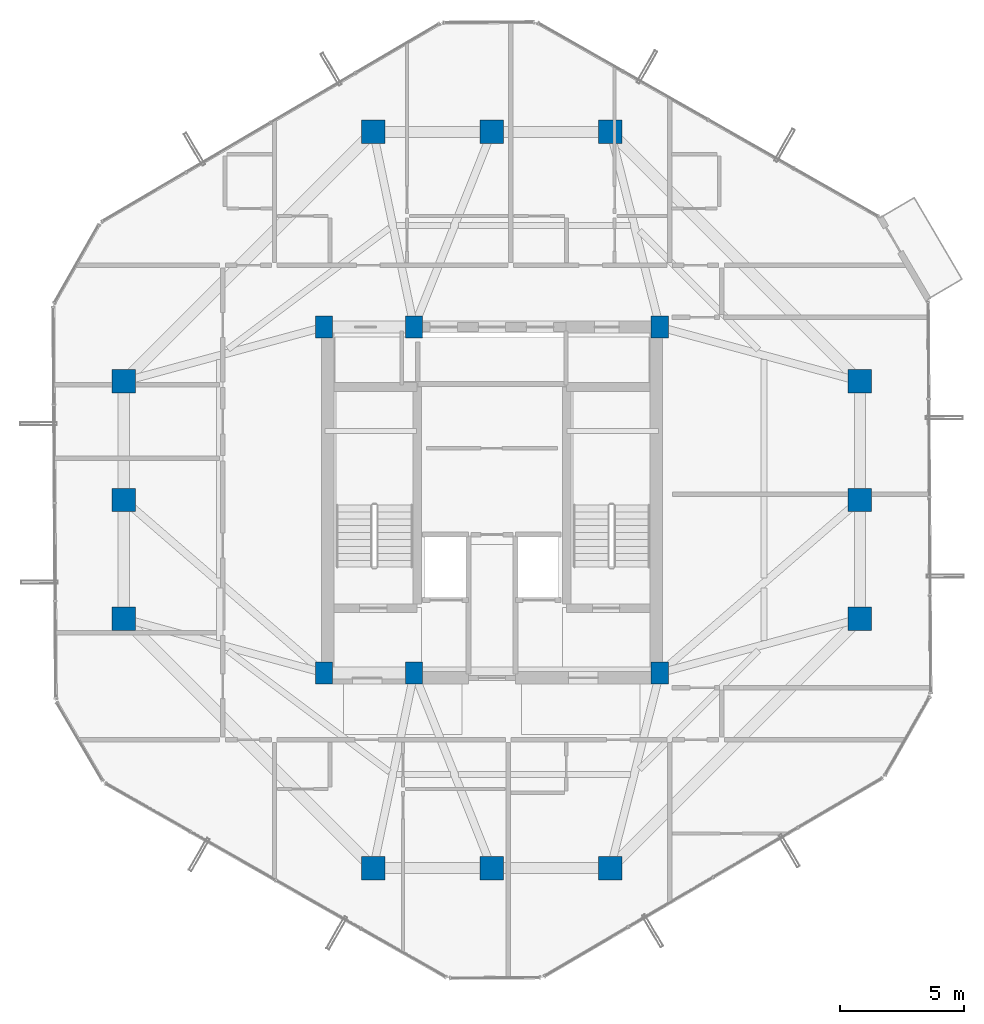
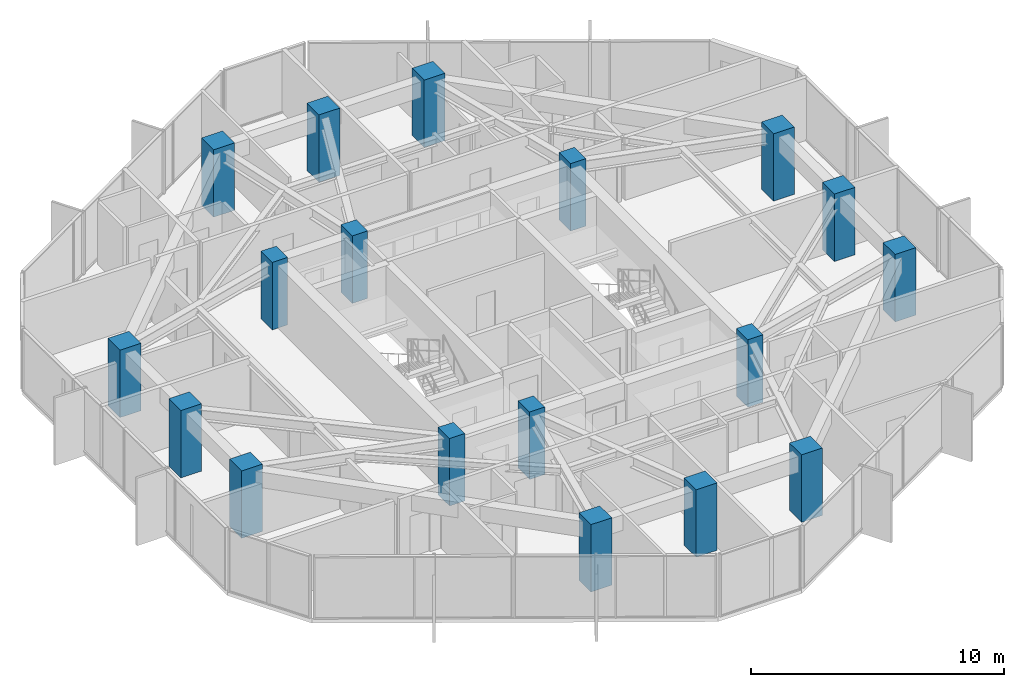
# One storey, part 1 of 31: 18 columns.
"""IFC4 building model written with IfcOpenShell, lengths in metres."""

from ifc_helpers import new_model, si_unit, direction, frame, origin, origin_2d, place, context, subcontext, project, spatial, rectangle, extrude, material, material_profile, profile_set, type_object, element, save


model = new_model("IFC4")

# Units and contexts
model_context = context("Model", 3, precision=1e-05, world=origin(), true_north=direction((0.0, 1.0)))
body_context = subcontext(model_context, "Body", "Model", "MODEL_VIEW")
ifc_project = project(units=[si_unit("LENGTHUNIT", "METRE"), si_unit("AREAUNIT", "SQUARE_METRE"), si_unit("VOLUMEUNIT", "CUBIC_METRE"), si_unit("PLANEANGLEUNIT", "RADIAN"), si_unit("MASSUNIT", "GRAM", prefix="KILO")], contexts=[model_context])

# Site, building, storey
site_placement = place(None, origin())
site = spatial("IfcSite", under=ifc_project, at=site_placement, CompositionType="ELEMENT")
building_placement = place(site_placement, origin())
building = spatial("IfcBuilding", under=site, at=building_placement, Name="Veraguas Prism Commons", CompositionType="ELEMENT")
storey_placement = place(building_placement, frame((0.0, 0.0, 204.85009765625)))
storey = spatial("IfcBuildingStorey", under=building, at=storey_placement, Name="L58", CompositionType="ELEMENT", Elevation=204.85009765625)

# Columns
ifc_material = material(Name="Concrete C50/60", Category="concrete")
ifc_material_profile_1 = material_profile(ifc_material, rectangle(XDim=0.949951171875, YDim=0.949951171875, at=origin_2d()), Name="RC950X950")
ifc_profile_set_1 = profile_set([ifc_material_profile_1], Name="Concrete C50/60")
column_type_1 = type_object("IfcColumnType", Name="Column Tube Z3 RC 950x950", PredefinedType="COLUMN", material=ifc_profile_set_1)
for number, where, z_axis, x_axis, name in (
    (1, (38.89990234375, 19.199951171875, 0.0), (0.0, 0.0, 1.0), (1.0, 0.0, 0.0), "Tower Perimeter Column L58-TB01"),
    (2, (38.89990234375, 24.0, 0.0), (0.0, 0.0, 1.0), (1.0, 0.0, 0.0), "Tower Perimeter Column L58-TB02"),
    (3, (38.89990234375, 28.800048828125, 0.0), (0.0, 0.0, 1.0), (1.0, 0.0, 0.0), "Tower Perimeter Column L58-TB03"),
    (4, (28.800048828125, 38.89990234375, 0.0), (0.0, 0.0, 1.0), (1.0, 0.0, 0.0), "Tower Perimeter Column L58-TB04"),
    (5, (24.0, 38.89990234375, 0.0), (0.0, 0.0, 1.0), (1.0, 0.0, 0.0), "Tower Perimeter Column L58-TB05"),
    (6, (19.199951171875, 38.89990234375, 0.0), (0.0, 0.0, 1.0), (1.0, 0.0, 0.0), "Tower Perimeter Column L58-TB06"),
    (7, (9.10009765625, 28.800048828125, 0.0), (0.0, 0.0, 1.0), (1.0, 0.0, 0.0), "Tower Perimeter Column L58-TB07"),
    (8, (9.10009765625, 24.0, 0.0), (0.0, 0.0, 1.0), (1.0, 0.0, 0.0), "Tower Perimeter Column L58-TB08"),
    (9, (9.10009765625, 19.199951171875, 0.0), (0.0, 0.0, 1.0), (1.0, 0.0, 0.0), "Tower Perimeter Column L58-TB09"),
    (10, (19.199951171875, 9.10009765625, 0.0), (0.0, 0.0, 1.0), (1.0, 0.0, 0.0), "Tower Perimeter Column L58-TB10"),
    (11, (24.0, 9.10009765625, 0.0), (0.0, 0.0, 1.0), (1.0, 0.0, 0.0), "Tower Perimeter Column L58-TB11"),
    (12, (28.800048828125, 9.10009765625, 0.0), (0.0, 0.0, 1.0), (1.0, 0.0, 0.0), "Tower Perimeter Column L58-TB12"),
):
    element("IfcColumn", number, at=place(storey_placement, frame(where, z_axis=z_axis, x_axis=x_axis)), inside=storey, type_object=column_type_1, Name=name, PredefinedType="COLUMN", context=body_context, shape_type="SweptSolid", body=[
        extrude(rectangle(XDim=0.949951171875, YDim=0.949951171875, at=origin_2d()), origin(), (0.0, 0.0, 1.0), 3.25),
    ])
ifc_material_profile_2 = material_profile(ifc_material, rectangle(XDim=0.699951171875, YDim=0.89990234375, at=origin_2d()), Name="RC700X900")
ifc_profile_set_2 = profile_set([ifc_material_profile_2], Name="Concrete C50/60")
column_type_2 = type_object("IfcColumnType", Name="Pilaster Core Upper RC 700x900", PredefinedType="PILASTER", material=ifc_profile_set_2)
for number, where, z_axis, x_axis, name in (
    (13, (17.199951171875, 17.0, 0.0), (0.0, 0.0, 1.0), (1.0, 0.0, 0.0), "Core Pilaster Column L58-CR1"),
    (14, (20.85009765625, 17.0, 0.0), (0.0, 0.0, 1.0), (1.0, 0.0, 0.0), "Core Pilaster Column L58-CR2"),
    (15, (30.800048828125, 17.0, 0.0), (0.0, 0.0, 1.0), (1.0, 0.0, 0.0), "Core Pilaster Column L58-CR3"),
    (16, (17.199951171875, 31.0, 0.0), (0.0, 0.0, 1.0), (1.0, 0.0, 0.0), "Core Pilaster Column L58-CR4"),
    (17, (20.85009765625, 31.0, 0.0), (0.0, 0.0, 1.0), (1.0, 0.0, 0.0), "Core Pilaster Column L58-CR5"),
    (18, (30.800048828125, 31.0, 0.0), (0.0, 0.0, 1.0), (1.0, 0.0, 0.0), "Core Pilaster Column L58-CR6"),
):
    element("IfcColumn", number, at=place(storey_placement, frame(where, z_axis=z_axis, x_axis=x_axis)), inside=storey, type_object=column_type_2, Name=name, PredefinedType="PILASTER", context=body_context, shape_type="SweptSolid", body=[
        extrude(rectangle(XDim=0.699951171875, YDim=0.89990234375, at=origin_2d()), origin(), (0.0, 0.0, 1.0), 3.25),
    ])

save(model, "model.ifc")
